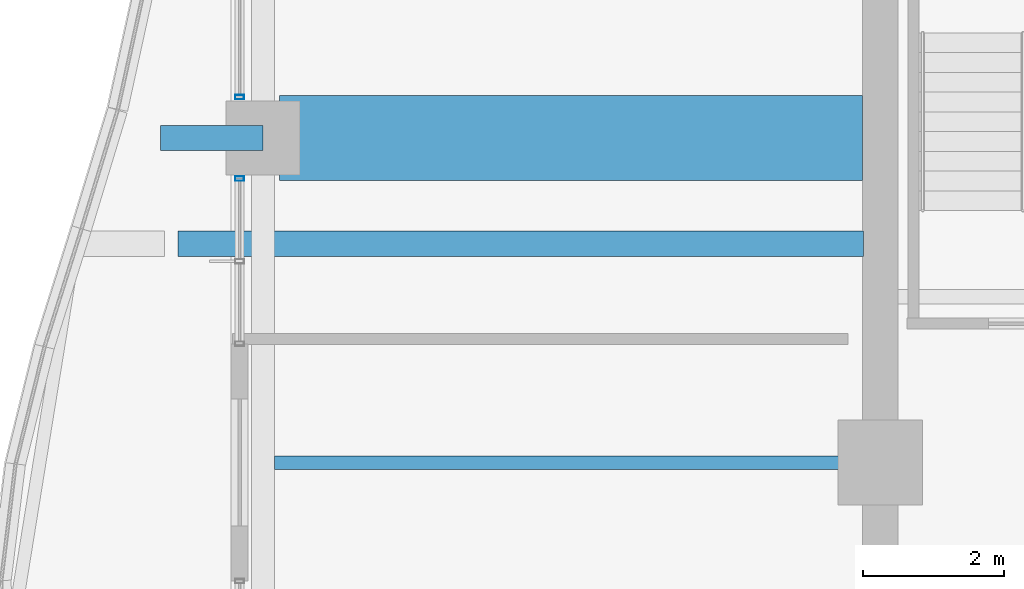
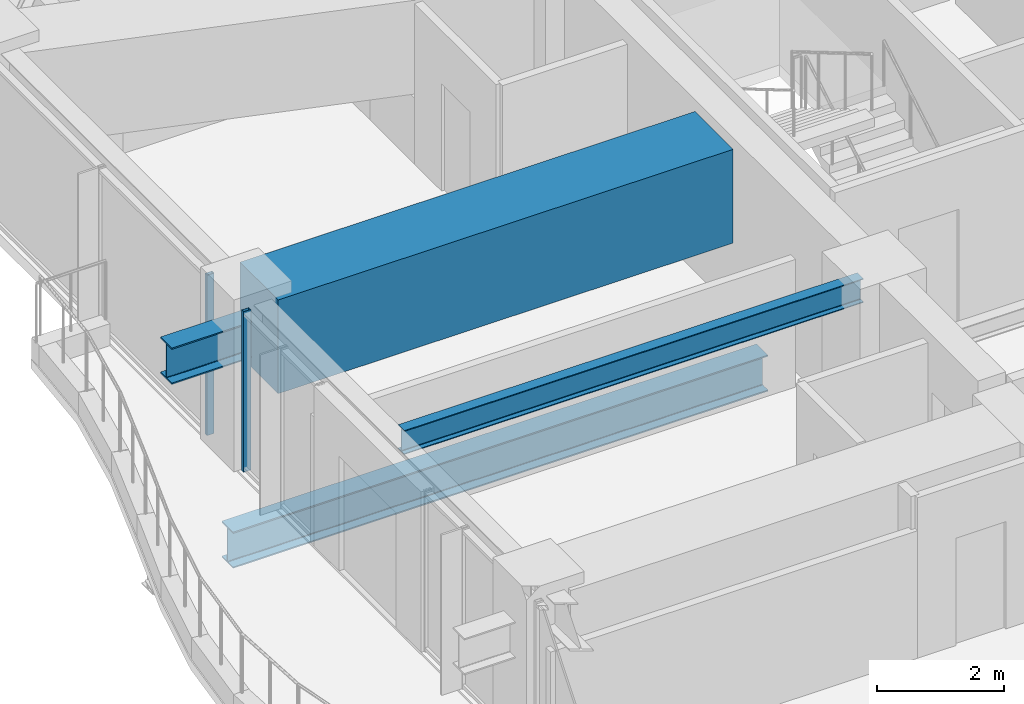
# One storey, part 11 of 36: 4 beams, 2 members, 2 elements without a shape of their own.
"""IFC4 building model written with IfcOpenShell, lengths in metres."""

from ifc_helpers import new_model, si_unit, direction, frame, origin, origin_2d, place, context, subcontext, project, spatial, rectangle, hollow_rectangle, i_section, extrude, material, material_profile, profile_set, type_object, element, aggregate, save


model = new_model("IFC4")

# Units and contexts
model_context = context("Model", 3, precision=1e-05, world=origin(), true_north=direction((0.0, 1.0)))
body_context = subcontext(model_context, "Body", "Model", "MODEL_VIEW")
ifc_project = project(units=[si_unit("LENGTHUNIT", "METRE"), si_unit("AREAUNIT", "SQUARE_METRE"), si_unit("VOLUMEUNIT", "CUBIC_METRE"), si_unit("PLANEANGLEUNIT", "RADIAN"), si_unit("MASSUNIT", "GRAM", prefix="KILO")], contexts=[model_context])

# Site, building, storey
site_placement = place(None, origin())
site = spatial("IfcSite", under=ifc_project, at=site_placement, CompositionType="ELEMENT")
building_placement = place(site_placement, origin())
building = spatial("IfcBuilding", under=site, at=building_placement, Name="Kolvaren Belvedere", CompositionType="ELEMENT")
storey_placement = place(building_placement, frame((0.0, 0.0, 108.5)))
storey = spatial("IfcBuildingStorey", under=building, at=storey_placement, Name="L31", CompositionType="ELEMENT", Elevation=108.5)

# Beams
ifc_material_1 = material(Name="Structural steel ASTM A992 Grade 50", Category="steel")
ifc_material_profile_1 = material_profile(ifc_material_1, i_section(OverallWidth=0.35498046875, OverallDepth=0.696044921875, WebThickness=0.015380859375, FlangeThickness=0.02490234375, FilletRadius=0.02197265625, at=origin_2d()), Name="W27X146")
ifc_profile_set_1 = profile_set([ifc_material_profile_1], Name="Structural steel ASTM A992 Grade 50")
beam_type_1 = type_object("IfcBeamType", Name="BM-CANT-BAL", PredefinedType="BEAM", material=ifc_profile_set_1)
beam_1_placement = place(storey_placement, frame((-18.64990234375, 4.60009765625, 2.14208984375), z_axis=(-1.0, 0.0, 0.0), x_axis=(0.0, -1.0, 0.0)))
element("IfcBeam", 1, at=beam_1_placement, inside=storey, type_object=beam_type_1, Name="L31 West Picture-Frame Column Corbel P", PredefinedType="BEAM", context=body_context, shape_type="SweptSolid", body=[
    extrude(i_section(OverallWidth=0.35498046875, OverallDepth=0.696044921875, WebThickness=0.015380859375, FlangeThickness=0.02490234375, FilletRadius=0.02197265625, at=origin_2d()), origin(), (0.0, 0.0, 1.0), 1.4501953125),
])
ifc_material_2 = material(Name="Structural steel ASTM A992 Grade 50", Category="steel")
ifc_material_profile_2 = material_profile(ifc_material_2, i_section(OverallWidth=0.35498046875, OverallDepth=0.696044921875, WebThickness=0.015380859375, FlangeThickness=0.02490234375, FilletRadius=0.02197265625, at=origin_2d()), Name="W27X146")
ifc_profile_set_2 = profile_set([ifc_material_profile_2], Name="Structural steel ASTM A992 Grade 50")
beam_type_2 = type_object("IfcBeamType", Name="BM-GIRD-W27X146", PredefinedType="BEAM", material=ifc_profile_set_2)
beam_2_placement = place(storey_placement, frame((-10.139892578125, 3.10009765625, -0.568115234375), z_axis=(-1.0, 0.0, 0.0), x_axis=(0.0, -1.0, 0.0)))
element("IfcBeam", 2, at=beam_2_placement, inside=storey, type_object=beam_type_2, Name="L31 Balcony Interior Back-Span Girder BAL-W-2", PredefinedType="BEAM", context=body_context, shape_type="SweptSolid", body=[
    extrude(i_section(OverallWidth=0.35498046875, OverallDepth=0.696044921875, WebThickness=0.015380859375, FlangeThickness=0.02490234375, FilletRadius=0.02197265625, at=origin_2d()), origin(), (0.0, 0.0, 1.0), 9.715087890625),
])
ifc_material_3 = material(Name="Structural steel ASTM A992 Grade 50", Category="steel")
ifc_material_profile_3 = material_profile(ifc_material_3, i_section(OverallWidth=0.19091796875, OverallDepth=0.4599609375, WebThickness=0.010009765625, FlangeThickness=0.01611328125, FilletRadius=0.014892578125, at=origin_2d()), Name="W18X55")
ifc_profile_set_3 = profile_set([ifc_material_profile_3], Name="Structural steel ASTM A992 Grade 50")
beam_type_3 = type_object("IfcBeamType", Name="BM-JOIST-W18X55", PredefinedType="BEAM", material=ifc_profile_set_3)
beam_3_placement = place(storey_placement, frame((-10.14990234375, 0.0, 2.85009765625), z_axis=(-1.0, 0.0, 0.0), x_axis=(0.0, -1.0, 0.0)))
element("IfcBeam", 3, at=beam_3_placement, inside=storey, type_object=beam_type_3, Name="L31 West Centre Floor Beam", PredefinedType="BEAM", context=body_context, shape_type="SweptSolid", body=[
    extrude(i_section(OverallWidth=0.19091796875, OverallDepth=0.4599609375, WebThickness=0.010009765625, FlangeThickness=0.01611328125, FilletRadius=0.014892578125, at=origin_2d()), origin(), (0.0, 0.0, 1.0), 8.337646484375),
])
ifc_material_4 = material(Name="Concrete C50/60", Category="concrete")
ifc_material_profile_4 = material_profile(ifc_material_4, rectangle(XDim=1.199951171875, YDim=1.800048828125, at=origin_2d()), Name="RC 1200X1800")
ifc_profile_set_4 = profile_set([ifc_material_profile_4], Name="Concrete C50/60")
beam_type_4 = type_object("IfcBeamType", Name="BM-TG-1800", PredefinedType="BEAM", material=ifc_profile_set_4)
beam_4_placement = place(storey_placement, frame((-10.14990234375, 4.60009765625, 2.179931640625), z_axis=(-1.0, 0.0, 0.0), x_axis=(0.0, -1.0, 0.0)))
element("IfcBeam", 4, at=beam_4_placement, inside=storey, type_object=beam_type_4, Name="L31 West Radial Girder P", PredefinedType="BEAM", context=body_context, shape_type="SweptSolid", body=[
    extrude(rectangle(XDim=1.199951171875, YDim=1.800048828125, at=origin_2d()), origin(), (0.0, 0.0, 1.0), 8.263916015625),
])

# Curtain wall, member
ifc_material_5 = material(Name="Anodised pale-metal aluminium AA 6063-T6", Category="aluminium")
curtain_wall_type = type_object("IfcCurtainWallType", Name="CW-Z3-WAIST", PredefinedType="NOTDEFINED", material=ifc_material_5)
curtain_wall_1_placement = place(storey_placement, origin())
curtain_wall_1 = element("IfcCurtainWall", 5, at=curtain_wall_1_placement, inside=storey, type_object=curtain_wall_type, Name="L31 Unitised Curtain Wall FCW-L31-W2-B1", PredefinedType="NOTDEFINED")
ifc_material_6 = material(Name="Anodised pale-metal aluminium AA 6063-T6", Category="aluminium")
ifc_material_profile_5 = material_profile(ifc_material_6, hollow_rectangle(XDim=0.06494140625, YDim=0.1298828125, WallThickness=0.00390625, at=origin_2d()), Name="ALU-MUL-130X65")
ifc_profile_set_5 = profile_set([ifc_material_profile_5], Name="Anodised pale-metal aluminium AA 6063-T6")
member_type = type_object("IfcMemberType", Name="CW-MUL-130", PredefinedType="MULLION", material=ifc_profile_set_5)
member_1_placement = place(storey_placement, frame((-18.97998046875, 4.0224609375, 0.0), z_axis=(0.0, 0.0, 1.0), x_axis=(0.0, 1.0, 0.0)))
member_1 = element("IfcMember", 6, at=member_1_placement, type_object=member_type, Name="FCW-L31-W2-B1 Unitised Mullion 3", PredefinedType="MULLION", context=body_context, shape_type="SweptSolid", body=[
    extrude(hollow_rectangle(XDim=0.06494140625, YDim=0.1298828125, WallThickness=0.00390625, at=origin_2d()), origin(), (0.0, 0.0, 1.0), 3.080078125),
])
aggregate(curtain_wall_1, [member_1])

curtain_wall_2_placement = place(storey_placement, origin())
curtain_wall_2 = element("IfcCurtainWall", 7, at=curtain_wall_2_placement, inside=storey, type_object=curtain_wall_type, Name="L31 Unitised Curtain Wall FCW-L31-W2-B2", PredefinedType="NOTDEFINED")
member_2_placement = place(storey_placement, frame((-18.97998046875, 5.177490234375, 0.0), z_axis=(0.0, 0.0, 1.0), x_axis=(0.0, 1.0, 0.0)))
member_2 = element("IfcMember", 8, at=member_2_placement, type_object=member_type, Name="FCW-L31-W2-B2 Unitised Mullion 1", PredefinedType="MULLION", context=body_context, shape_type="SweptSolid", body=[
    extrude(hollow_rectangle(XDim=0.06494140625, YDim=0.1298828125, WallThickness=0.00390625, at=origin_2d()), origin(), (0.0, 0.0, 1.0), 3.080078125),
])
aggregate(curtain_wall_2, [member_2])

save(model, "model.ifc")
